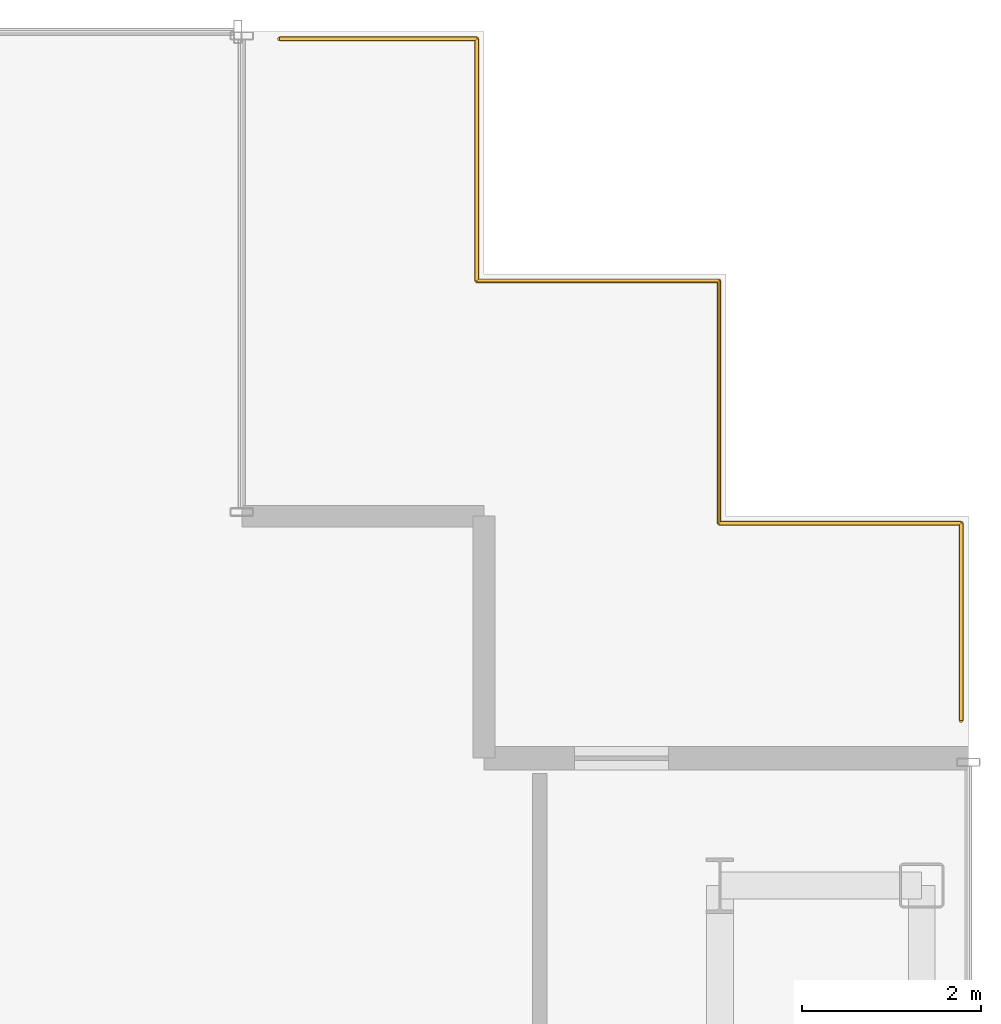
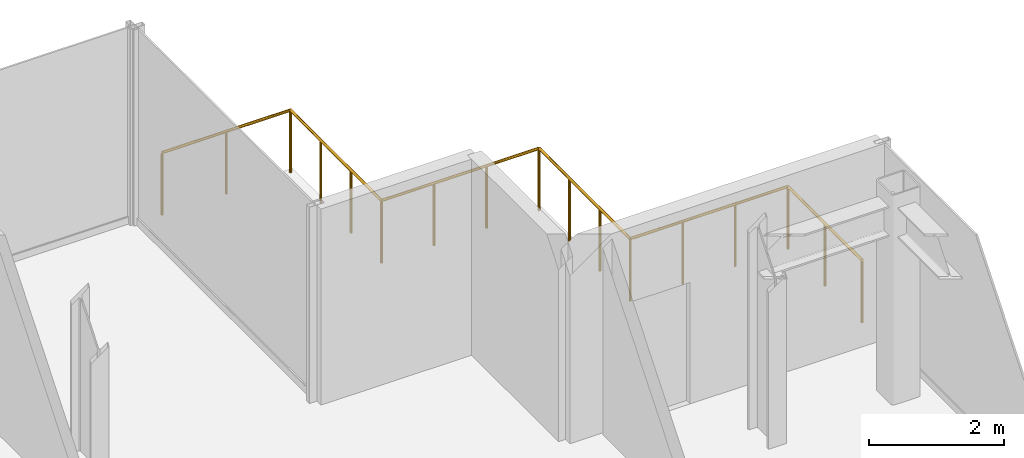
# One storey, part 17 of 17: 1 railing.
"""IFC4 building model written with IfcOpenShell, lengths in metres."""

from ifc_helpers import new_model, si_unit, direction, frame, origin, origin_2d, place, context, subcontext, project, spatial, circle, extrude, material, type_object, element, save


model = new_model("IFC4")

# Units and contexts
model_context = context("Model", 3, precision=1e-05, world=origin(), true_north=direction((0.0, 1.0)))
body_context = subcontext(model_context, "Body", "Model", "MODEL_VIEW")
ifc_project = project(units=[si_unit("LENGTHUNIT", "METRE"), si_unit("AREAUNIT", "SQUARE_METRE"), si_unit("VOLUMEUNIT", "CUBIC_METRE"), si_unit("PLANEANGLEUNIT", "RADIAN"), si_unit("MASSUNIT", "GRAM", prefix="KILO")], contexts=[model_context])

# Site, building, storey
site_placement = place(None, origin())
site = spatial("IfcSite", under=ifc_project, at=site_placement, CompositionType="ELEMENT")
building_placement = place(site_placement, origin())
building = spatial("IfcBuilding", under=site, at=building_placement, Name="Nefas-Gora Pilgrimage Tower", CompositionType="ELEMENT")
storey_placement = place(building_placement, frame((0.0, 0.0, 337.60009765625)))
storey = spatial("IfcBuildingStorey", under=building, at=storey_placement, Name="L85", CompositionType="ELEMENT", Elevation=337.60009765625)

# Railing
ifc_material = material(Name="Laminated safety glass and stainless steel", Category="steel")
railing_type = type_object("IfcRailingType", Name="RLG-TER-1150", PredefinedType="BALUSTRADE", material=ifc_material)
railing_placement = place(storey_placement, frame((10.840087890625, 22.93994140625, 0.0)))
element("IfcRailing", 1, at=railing_placement, inside=storey, type_object=railing_type, Name="L85 Terrace Continuous Balustrade TER-SP-NE.1", PredefinedType="BALUSTRADE", context=body_context, shape_type="SweptSolid", body=[
    extrude(circle(Radius=0.02392578125, at=origin_2d()), frame((0.0, 0.0, 1.1259765625), z_axis=(1.0, 0.0, 0.0), x_axis=(0.0, 1.0, 0.0)), (0.0, 0.0, 1.0), 2.199951171875),
    extrude(circle(Radius=0.02392578125, at=origin_2d()), frame((2.199951171875, 0.0, 1.1259765625), z_axis=(0.0, -1.0, 0.0), x_axis=(1.0, 0.0, 0.0)), (0.0, 0.0, 1.0), 2.699951171875),
    extrude(circle(Radius=0.02392578125, at=origin_2d()), frame((2.199951171875, -2.699951171875, 1.1259765625), z_axis=(1.0, 0.0, 0.0), x_axis=(0.0, 1.0, 0.0)), (0.0, 0.0, 1.0), 2.699951171875),
    extrude(circle(Radius=0.02392578125, at=origin_2d()), frame((4.89990234375, -2.699951171875, 1.1259765625), z_axis=(0.0, -1.0, 0.0), x_axis=(1.0, 0.0, 0.0)), (0.0, 0.0, 1.0), 2.699951171875),
    extrude(circle(Radius=0.02392578125, at=origin_2d()), frame((4.89990234375, -5.39990234375, 1.1259765625), z_axis=(1.0, 0.0, 0.0), x_axis=(0.0, 1.0, 0.0)), (0.0, 0.0, 1.0), 2.699951171875),
    extrude(circle(Radius=0.02392578125, at=origin_2d()), frame((7.599853515625, -5.39990234375, 1.1259765625), z_axis=(0.0, -1.0, 0.0), x_axis=(1.0, 0.0, 0.0)), (0.0, 0.0, 1.0), 2.199951171875),
    extrude(circle(Radius=0.02099609375, at=origin_2d()), origin(), (0.0, 0.0, 1.0), 1.101806640625),
    extrude(circle(Radius=0.02099609375, at=origin_2d()), frame((1.10009765625, 0.0, 0.0)), (0.0, 0.0, 1.0), 1.101806640625),
    extrude(circle(Radius=0.02099609375, at=origin_2d()), frame((2.199951171875, 0.0, 0.0)), (0.0, 0.0, 1.0), 1.101806640625),
    extrude(circle(Radius=0.02099609375, at=origin_2d()), frame((2.199951171875, -0.89990234375, 0.0)), (0.0, 0.0, 1.0), 1.101806640625),
    extrude(circle(Radius=0.02099609375, at=origin_2d()), frame((2.199951171875, -1.800048828125, 0.0)), (0.0, 0.0, 1.0), 1.101806640625),
    extrude(circle(Radius=0.02099609375, at=origin_2d()), frame((2.199951171875, -2.699951171875, 0.0)), (0.0, 0.0, 1.0), 1.101806640625),
    extrude(circle(Radius=0.02099609375, at=origin_2d()), frame((3.099853515625, -2.699951171875, 0.0)), (0.0, 0.0, 1.0), 1.101806640625),
    extrude(circle(Radius=0.02099609375, at=origin_2d()), frame((4.0, -2.699951171875, 0.0)), (0.0, 0.0, 1.0), 1.101806640625),
    extrude(circle(Radius=0.02099609375, at=origin_2d()), frame((4.89990234375, -2.699951171875, 0.0)), (0.0, 0.0, 1.0), 1.101806640625),
    extrude(circle(Radius=0.02099609375, at=origin_2d()), frame((4.89990234375, -3.599853515625, 0.0)), (0.0, 0.0, 1.0), 1.101806640625),
    extrude(circle(Radius=0.02099609375, at=origin_2d()), frame((4.89990234375, -4.5, 0.0)), (0.0, 0.0, 1.0), 1.101806640625),
    extrude(circle(Radius=0.02099609375, at=origin_2d()), frame((4.89990234375, -5.39990234375, 0.0)), (0.0, 0.0, 1.0), 1.101806640625),
    extrude(circle(Radius=0.02099609375, at=origin_2d()), frame((5.7998046875, -5.39990234375, 0.0)), (0.0, 0.0, 1.0), 1.101806640625),
    extrude(circle(Radius=0.02099609375, at=origin_2d()), frame((6.699951171875, -5.39990234375, 0.0)), (0.0, 0.0, 1.0), 1.101806640625),
    extrude(circle(Radius=0.02099609375, at=origin_2d()), frame((7.599853515625, -5.39990234375, 0.0)), (0.0, 0.0, 1.0), 1.101806640625),
    extrude(circle(Radius=0.02099609375, at=origin_2d()), frame((7.599853515625, -6.5, 0.0)), (0.0, 0.0, 1.0), 1.101806640625),
    extrude(circle(Radius=0.02099609375, at=origin_2d()), frame((7.599853515625, -7.599853515625, 0.0)), (0.0, 0.0, 1.0), 1.101806640625),
])

save(model, "model.ifc")
